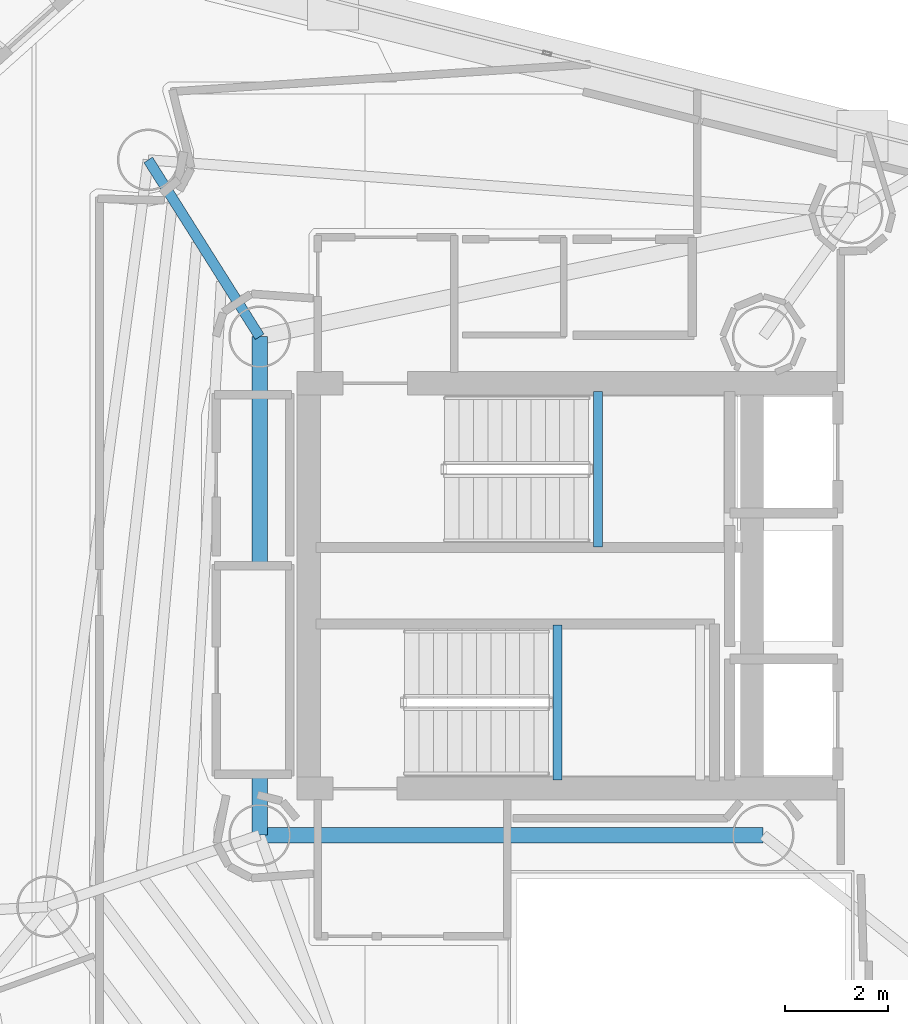
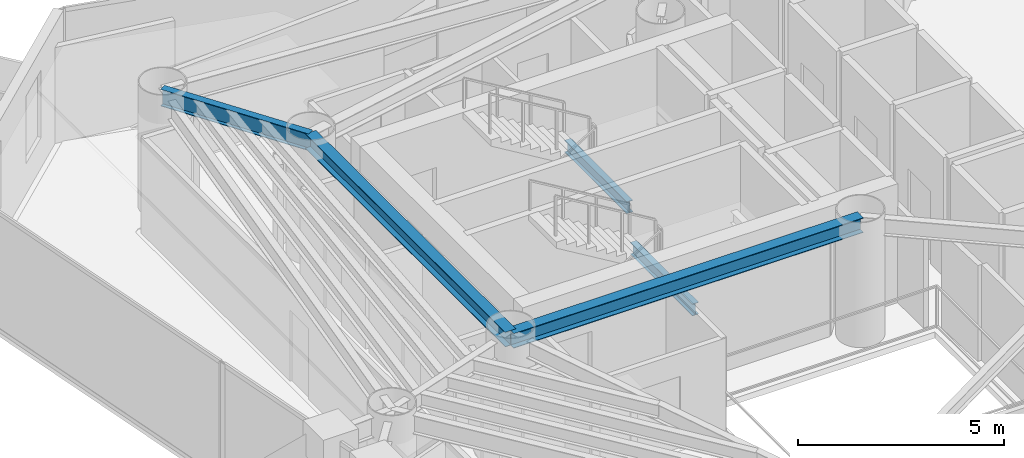
# One storey, part 10 of 23: 5 beams.
"""IFC4 building model written with IfcOpenShell, lengths in metres."""

from ifc_helpers import new_model, si_unit, direction, frame, origin, origin_2d, place, context, subcontext, project, spatial, i_section, extrude, material, material_profile, profile_set, type_object, element, save


model = new_model("IFC4")

# Units and contexts
model_context = context("Model", 3, precision=1e-05, world=origin(), true_north=direction((0.0, 1.0)))
body_context = subcontext(model_context, "Body", "Model", "MODEL_VIEW")
ifc_project = project(units=[si_unit("LENGTHUNIT", "METRE"), si_unit("AREAUNIT", "SQUARE_METRE"), si_unit("VOLUMEUNIT", "CUBIC_METRE"), si_unit("PLANEANGLEUNIT", "RADIAN"), si_unit("MASSUNIT", "GRAM", prefix="KILO")], contexts=[model_context])

# Site, building, storey
site_placement = place(None, origin())
site = spatial("IfcSite", under=ifc_project, at=site_placement, CompositionType="ELEMENT")
building_placement = place(site_placement, origin())
building = spatial("IfcBuilding", under=site, at=building_placement, Name="Qianvela Tower", CompositionType="ELEMENT")
storey_placement = place(building_placement, frame((0.0, 0.0, 192.89990234375)))
storey = spatial("IfcBuildingStorey", under=building, at=storey_placement, Name="L49", CompositionType="ELEMENT", Elevation=192.89990234375)

# Beams
ifc_material_1 = material(Name="Steel Q355B", Category="steel")
ifc_material_profile_1 = material_profile(ifc_material_1, i_section(OverallWidth=0.300048828125, OverallDepth=0.43994140625, WebThickness=0.010986328125, FlangeThickness=0.01806640625, at=origin_2d()), Name="HM440x300x11x18")
ifc_profile_set_1 = profile_set([ifc_material_profile_1], Name="Steel Q355B")
beam_type_1 = type_object("IfcBeamType", Name="BM-HM440-COLL", PredefinedType="BEAM", material=ifc_profile_set_1)
beam_1_placement = place(storey_placement, frame((28.60009765625, 23.85009765625, 3.298095703125), z_axis=(1.0, 0.0, 0.0), x_axis=(0.0, 1.0, 0.0)))
element("IfcBeam", 1, at=beam_1_placement, inside=storey, type_object=beam_type_1, Name="L49 Core Ring Collector Girder CC1", PredefinedType="BEAM", context=body_context, shape_type="SweptSolid", body=[
    extrude(i_section(OverallWidth=0.300048828125, OverallDepth=0.43994140625, WebThickness=0.010986328125, FlangeThickness=0.01806640625, at=origin_2d()), origin(), (0.0, 0.0, 1.0), 9.7998046875),
])
beam_2_placement = place(storey_placement, frame((28.60009765625, 33.550048828125, 3.298095703125), z_axis=(0.0, -1.0, 0.0), x_axis=(1.0, 0.0, 0.0)))
element("IfcBeam", 2, at=beam_2_placement, inside=storey, type_object=beam_type_1, Name="L49 Core Ring Collector Girder CC2", PredefinedType="BEAM", context=body_context, shape_type="SweptSolid", body=[
    extrude(i_section(OverallWidth=0.300048828125, OverallDepth=0.43994140625, WebThickness=0.010986328125, FlangeThickness=0.01806640625, at=origin_2d()), origin(), (0.0, 0.0, 1.0), 9.699951171875),
])
ifc_material_2 = material(Name="Steel Q355B", Category="steel")
ifc_material_profile_2 = material_profile(ifc_material_2, i_section(OverallWidth=0.175048828125, OverallDepth=0.35009765625, WebThickness=0.007080078125, FlangeThickness=0.010986328125, at=origin_2d()), Name="HN350x175x7x11")
ifc_profile_set_2 = profile_set([ifc_material_profile_2], Name="Steel Q355B")
beam_type_2 = type_object("IfcBeamType", Name="BM-HN350-JOIST", PredefinedType="JOIST", material=ifc_profile_set_2)
for number, where, z_axis, x_axis, name in (
    (3, (35.179931640625, 29.4599609375, 1.47509765625), (0.0, 1.0, 0.0), (-1.0, 0.0, 0.0), "L49 Stair ST-1 Landing Support Beam 1.1"),
    (4, (34.39990234375, 24.919921875, 1.47509765625), (0.0, 1.0, 0.0), (-1.0, 0.0, 0.0), "L49 Stair ST-2 Landing Support Beam 1.1"),
):
    element("IfcBeam", number, at=place(storey_placement, frame(where, z_axis=z_axis, x_axis=x_axis)), inside=storey, type_object=beam_type_2, Name=name, PredefinedType="JOIST", context=body_context, shape_type="SweptSolid", body=[
        extrude(i_section(OverallWidth=0.175048828125, OverallDepth=0.35009765625, WebThickness=0.007080078125, FlangeThickness=0.010986328125, at=origin_2d()), origin(), (0.0, 0.0, 1.0), 3.02001953125),
    ])
ifc_material_3 = material(Name="Steel Q355B", Category="steel")
ifc_material_profile_3 = material_profile(ifc_material_3, i_section(OverallWidth=0.199951171875, OverallDepth=0.5, WebThickness=0.010009765625, FlangeThickness=0.01611328125, at=origin_2d()), Name="HN500x200x10x16")
ifc_profile_set_3 = profile_set([ifc_material_profile_3], Name="Steel Q355B")
beam_type_3 = type_object("IfcBeamType", Name="BM-HN500-GIRD", PredefinedType="BEAM", material=ifc_profile_set_3)
beam_3_placement = place(storey_placement, frame((28.60009765625, 33.550048828125, 3.26806640625), z_axis=(-0.533177693809, 0.846003278258, 0.0), x_axis=(-0.846003278258, -0.533177693809, 0.0)))
element("IfcBeam", 5, at=beam_3_placement, inside=storey, type_object=beam_type_3, Name="L49 Radial Primary Floor Girder 3", PredefinedType="BEAM", context=body_context, shape_type="SweptSolid", body=[
    extrude(i_section(OverallWidth=0.199951171875, OverallDepth=0.5, WebThickness=0.010009765625, FlangeThickness=0.01611328125, at=origin_2d()), origin(), (0.0, 0.0, 1.0), 4.068359375),
])

save(model, "model.ifc")
